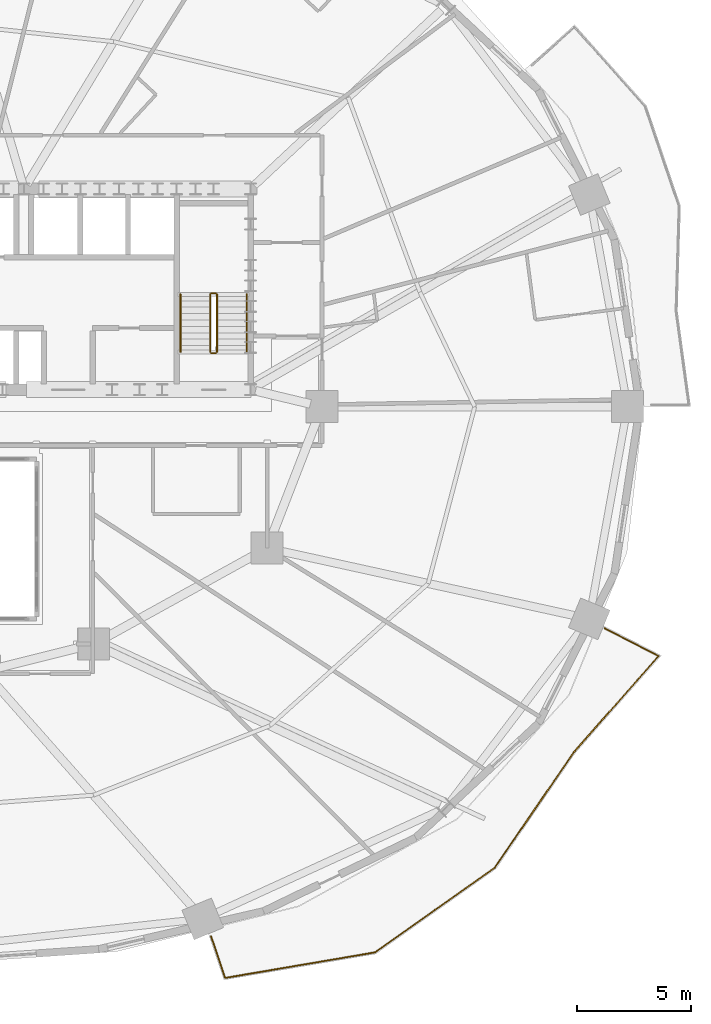
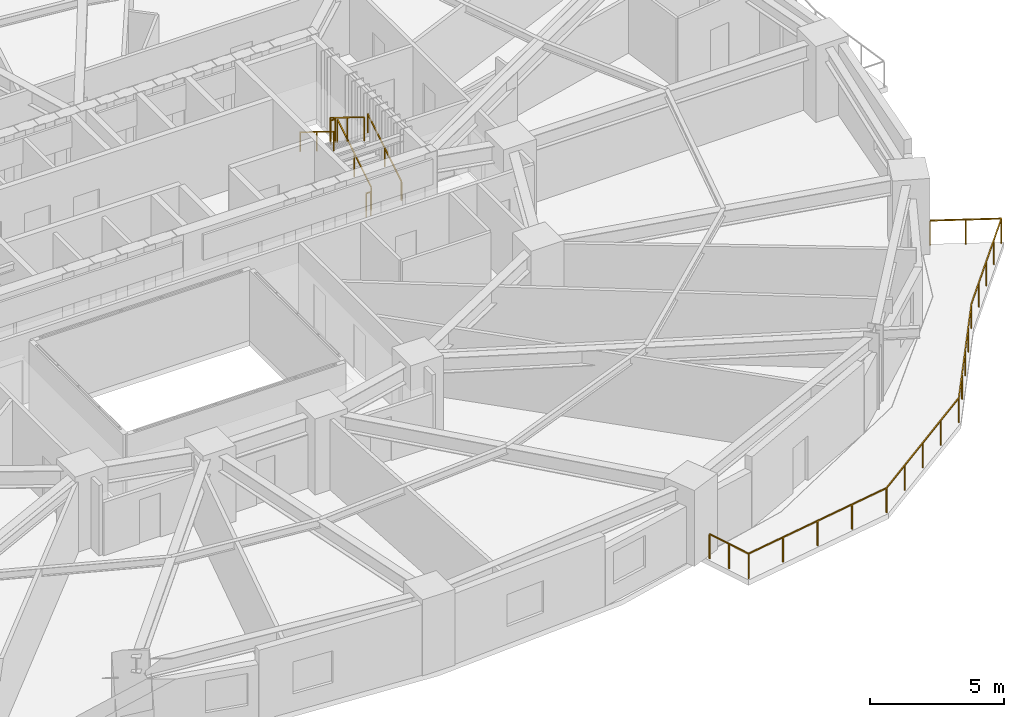
# One storey, part 16 of 17: 7 railings.
"""IFC4 building model written with IfcOpenShell, lengths in metres."""

from ifc_helpers import new_model, si_unit, direction, frame, origin, origin_2d, place, context, subcontext, project, spatial, rectangle, extrude, material, type_object, element, save


model = new_model("IFC4")

# Units and contexts
model_context = context("Model", 3, precision=1e-05, world=origin(), true_north=direction((0.0, 1.0)))
body_context = subcontext(model_context, "Body", "Model", "MODEL_VIEW")
ifc_project = project(units=[si_unit("LENGTHUNIT", "METRE"), si_unit("AREAUNIT", "SQUARE_METRE"), si_unit("VOLUMEUNIT", "CUBIC_METRE"), si_unit("PLANEANGLEUNIT", "RADIAN"), si_unit("MASSUNIT", "GRAM", prefix="KILO")], contexts=[model_context])

# Site, building, storey
site_placement = place(None, origin())
site = spatial("IfcSite", under=ifc_project, at=site_placement, CompositionType="ELEMENT")
building_placement = place(site_placement, origin())
building = spatial("IfcBuilding", under=site, at=building_placement, Name="Haldorwick Loom Tower", CompositionType="ELEMENT")
storey_placement = place(building_placement, frame((0.0, 0.0, 34.35009765625)))
storey = spatial("IfcBuildingStorey", under=building, at=storey_placement, Name="L08", CompositionType="ELEMENT", Elevation=34.35009765625)

# Railings
ifc_material_1 = material(Name="Galvanized Steel CSA G40.21 350W", Category="steel")
railing_type_1 = type_object("IfcRailingType", Name="ARC-RLG-BAL115", PredefinedType="BALUSTRADE", material=ifc_material_1)
railing_1_placement = place(storey_placement, frame((65.593017578125, 16.2890625, 0.0)))
element("IfcRailing", 1, at=railing_1_placement, inside=storey, type_object=railing_type_1, Name="L08 Outdoor Terrace Guardrail SLB-L08-BAL_SE-1", PredefinedType="BALUSTRADE", context=body_context, shape_type="SweptSolid", body=[
    extrude(rectangle(XDim=0.048095703125, YDim=0.048095703125, at=origin_2d()), frame((0.0, 0.0, 1.1259765625), z_axis=(0.889147904844, -0.457619933254, 0.0), x_axis=(0.457619933254, 0.889147904844, 0.0)), (0.0, 0.0, 1.0), 2.657470703125),
    extrude(rectangle(XDim=0.048095703125, YDim=0.048095703125, at=origin_2d()), frame((2.36279296875, -1.216064453125, 1.1259765625), z_axis=(-0.661217967964, -0.750193840845, 0.0), x_axis=(0.750193840845, -0.661217967964, 0.0)), (0.0, 0.0, 1.0), 5.622314453125),
    extrude(rectangle(XDim=0.048095703125, YDim=0.048095703125, at=origin_2d()), frame((-1.354736328125, -5.433837890625, 1.1259765625), z_axis=(-0.615644041972, -0.788024373725, 0.0), x_axis=(0.788024373725, -0.615644041972, 0.0)), (0.0, 0.0, 1.0), 0.010009765625),
    extrude(rectangle(XDim=0.048095703125, YDim=0.048095703125, at=origin_2d()), frame((-1.36083984375, -5.441650390625, 1.1259765625), z_axis=(-0.564811281477, -0.82522010174, 0.0), x_axis=(0.82522010174, -0.564811281477, 0.0)), (0.0, 0.0, 1.0), 6.115478515625),
    extrude(rectangle(XDim=0.048095703125, YDim=0.048095703125, at=origin_2d()), frame((-4.81494140625, -10.48828125, 1.1259765625), z_axis=(-0.816259372483, -0.577685586486, 0.0), x_axis=(0.577685586486, -0.816259372483, 0.0)), (0.0, 0.0, 1.0), 6.4326171875),
    extrude(rectangle(XDim=0.048095703125, YDim=0.048095703125, at=origin_2d()), frame((-10.065673828125, -14.204345703125, 1.1259765625), z_axis=(-0.985747982985, -0.168228755094, 0.0), x_axis=(0.168228755094, -0.985747982985, 0.0)), (0.0, 0.0, 1.0), 6.66552734375),
    extrude(rectangle(XDim=0.048095703125, YDim=0.048095703125, at=origin_2d()), frame((-16.63623046875, -15.32568359375, 1.1259765625), z_axis=(-0.320435584101, 0.947270308012, 0.0), x_axis=(-0.947270308012, -0.320435584101, 0.0)), (0.0, 0.0, 1.0), 1.9306640625),
    extrude(rectangle(XDim=0.0419921875, YDim=0.0419921875, at=origin_2d()), origin(), (0.0, 0.0, 1.0), 1.101806640625),
    extrude(rectangle(XDim=0.0419921875, YDim=0.0419921875, at=origin_2d()), frame((1.181396484375, -0.60791015625, 0.0)), (0.0, 0.0, 1.0), 1.101806640625),
    extrude(rectangle(XDim=0.0419921875, YDim=0.0419921875, at=origin_2d()), frame((2.36279296875, -1.216064453125, 0.0)), (0.0, 0.0, 1.0), 1.101806640625),
    extrude(rectangle(XDim=0.0419921875, YDim=0.0419921875, at=origin_2d()), frame((1.433349609375, -2.2705078125, 0.0)), (0.0, 0.0, 1.0), 1.101806640625),
    extrude(rectangle(XDim=0.0419921875, YDim=0.0419921875, at=origin_2d()), frame((0.50390625, -3.324951171875, 0.0)), (0.0, 0.0, 1.0), 1.101806640625),
    extrude(rectangle(XDim=0.0419921875, YDim=0.0419921875, at=origin_2d()), frame((-0.42529296875, -4.37939453125, 0.0)), (0.0, 0.0, 1.0), 1.101806640625),
    extrude(rectangle(XDim=0.0419921875, YDim=0.0419921875, at=origin_2d()), frame((-1.354736328125, -5.433837890625, 0.0)), (0.0, 0.0, 1.0), 1.101806640625),
    extrude(rectangle(XDim=0.0419921875, YDim=0.0419921875, at=origin_2d()), frame((-2.224365234375, -6.703369140625, 0.0)), (0.0, 0.0, 1.0), 1.101806640625),
    extrude(rectangle(XDim=0.0419921875, YDim=0.0419921875, at=origin_2d()), frame((-3.087890625, -7.96484375, 0.0)), (0.0, 0.0, 1.0), 1.101806640625),
    extrude(rectangle(XDim=0.0419921875, YDim=0.0419921875, at=origin_2d()), frame((-3.951416015625, -9.2265625, 0.0)), (0.0, 0.0, 1.0), 1.101806640625),
    extrude(rectangle(XDim=0.0419921875, YDim=0.0419921875, at=origin_2d()), frame((-4.81494140625, -10.48828125, 0.0)), (0.0, 0.0, 1.0), 1.101806640625),
    extrude(rectangle(XDim=0.0419921875, YDim=0.0419921875, at=origin_2d()), frame((-6.127685546875, -11.417236328125, 0.0)), (0.0, 0.0, 1.0), 1.101806640625),
    extrude(rectangle(XDim=0.0419921875, YDim=0.0419921875, at=origin_2d()), frame((-7.4404296875, -12.34619140625, 0.0)), (0.0, 0.0, 1.0), 1.101806640625),
    extrude(rectangle(XDim=0.0419921875, YDim=0.0419921875, at=origin_2d()), frame((-8.7529296875, -13.275390625, 0.0)), (0.0, 0.0, 1.0), 1.101806640625),
    extrude(rectangle(XDim=0.0419921875, YDim=0.0419921875, at=origin_2d()), frame((-10.065673828125, -14.204345703125, 0.0)), (0.0, 0.0, 1.0), 1.101806640625),
    extrude(rectangle(XDim=0.0419921875, YDim=0.0419921875, at=origin_2d()), frame((-11.708251953125, -14.484619140625, 0.0)), (0.0, 0.0, 1.0), 1.101806640625),
    extrude(rectangle(XDim=0.0419921875, YDim=0.0419921875, at=origin_2d()), frame((-13.35107421875, -14.76513671875, 0.0)), (0.0, 0.0, 1.0), 1.101806640625),
    extrude(rectangle(XDim=0.0419921875, YDim=0.0419921875, at=origin_2d()), frame((-14.99365234375, -15.04541015625, 0.0)), (0.0, 0.0, 1.0), 1.101806640625),
    extrude(rectangle(XDim=0.0419921875, YDim=0.0419921875, at=origin_2d()), frame((-16.63623046875, -15.32568359375, 0.0)), (0.0, 0.0, 1.0), 1.101806640625),
    extrude(rectangle(XDim=0.0419921875, YDim=0.0419921875, at=origin_2d()), frame((-16.945556640625, -14.4111328125, 0.0)), (0.0, 0.0, 1.0), 1.101806640625),
    extrude(rectangle(XDim=0.0419921875, YDim=0.0419921875, at=origin_2d()), frame((-17.2548828125, -13.496826171875, 0.0)), (0.0, 0.0, 1.0), 1.101806640625),
])
ifc_material_2 = material(Name="Steel CSA G40.21 350W", Category="steel")
railing_type_2 = type_object("IfcRailingType", Name="ARC-RLG-GUARD112", PredefinedType="GUARDRAIL", material=ifc_material_2)
railing_2_placement = place(storey_placement, frame((48.60009765625, 28.39990234375, 0.17236328125)))
element("IfcRailing", 2, at=railing_2_placement, inside=storey, type_object=railing_type_2, Name="L08 ST-02 stair guard 1", PredefinedType="GUARDRAIL", context=body_context, shape_type="SweptSolid", body=[
    extrude(rectangle(XDim=0.048095703125, YDim=0.048095703125, at=origin_2d()), frame((0.0, 0.0, 1.076171875), z_axis=(0.0, 0.851400495292, 0.524516154772), x_axis=(-1.0, 0.0, 0.0)), (0.0, 0.0, 1.0), 2.9599609375),
    extrude(rectangle(XDim=0.0419921875, YDim=0.0419921875, at=origin_2d()), origin(), (0.0, 0.0, 1.0), 1.052001953125),
    extrude(rectangle(XDim=0.0419921875, YDim=0.0419921875, at=origin_2d()), frame((0.0, 1.260009765625, 0.7763671875)), (0.0, 0.0, 1.0), 1.052001953125),
    extrude(rectangle(XDim=0.0419921875, YDim=0.0419921875, at=origin_2d()), frame((0.0, 2.52001953125, 1.552490234375)), (0.0, 0.0, 1.0), 1.052001953125),
])
railing_3_placement = place(storey_placement, frame((48.550048828125, 30.969970703125, 1.724853515625)))
element("IfcRailing", 3, at=railing_3_placement, inside=storey, type_object=railing_type_2, Name="L08 ST-02 stair guard 2", PredefinedType="GUARDRAIL", context=body_context, shape_type="SweptSolid", body=[
    extrude(rectangle(XDim=0.048095703125, YDim=0.048095703125, at=origin_2d()), frame((0.0, 0.0, 1.076171875), z_axis=(-1.0, 0.0, 0.0), x_axis=(0.0, -1.0, 0.0)), (0.0, 0.0, 1.0), 0.199951171875),
    extrude(rectangle(XDim=0.0419921875, YDim=0.0419921875, at=origin_2d()), origin(), (0.0, 0.0, 1.0), 1.052001953125),
    extrude(rectangle(XDim=0.0419921875, YDim=0.0419921875, at=origin_2d()), frame((-0.199951171875, 0.0, 0.0)), (0.0, 0.0, 1.0), 1.052001953125),
])
railing_4_placement = place(storey_placement, frame((48.300048828125, 30.919921875, 1.8974609375)))
element("IfcRailing", 4, at=railing_4_placement, inside=storey, type_object=railing_type_2, Name="L08 ST-02 stair guard 3", PredefinedType="GUARDRAIL", context=body_context, shape_type="SweptSolid", body=[
    extrude(rectangle(XDim=0.048095703125, YDim=0.048095703125, at=origin_2d()), frame((0.0, 0.0, 1.076171875), z_axis=(0.0, -0.851400495292, 0.524516154772), x_axis=(1.0, 0.0, 0.0)), (0.0, 0.0, 1.0), 2.9599609375),
    extrude(rectangle(XDim=0.0419921875, YDim=0.0419921875, at=origin_2d()), origin(), (0.0, 0.0, 1.0), 1.052001953125),
    extrude(rectangle(XDim=0.0419921875, YDim=0.0419921875, at=origin_2d()), frame((0.0, -1.260009765625, 0.7763671875)), (0.0, 0.0, 1.0), 1.052001953125),
    extrude(rectangle(XDim=0.0419921875, YDim=0.0419921875, at=origin_2d()), frame((0.0, -2.52001953125, 1.552490234375)), (0.0, 0.0, 1.0), 1.052001953125),
])
railing_5_placement = place(storey_placement, frame((48.550048828125, 28.35009765625, 0.0)))
element("IfcRailing", 5, at=railing_5_placement, inside=storey, type_object=railing_type_2, Name="L08 ST-02 stair guard 4", PredefinedType="GUARDRAIL", context=body_context, shape_type="SweptSolid", body=[
    extrude(rectangle(XDim=0.048095703125, YDim=0.048095703125, at=origin_2d()), frame((0.0, 0.0, 1.076171875), z_axis=(-1.0, 0.0, 0.0), x_axis=(0.0, -1.0, 0.0)), (0.0, 0.0, 1.0), 0.199951171875),
    extrude(rectangle(XDim=0.0419921875, YDim=0.0419921875, at=origin_2d()), origin(), (0.0, 0.0, 1.0), 1.052001953125),
    extrude(rectangle(XDim=0.0419921875, YDim=0.0419921875, at=origin_2d()), frame((-0.199951171875, 0.0, 0.0)), (0.0, 0.0, 1.0), 1.052001953125),
])
railing_type_3 = type_object("IfcRailingType", Name="ARC-RLG-HAND092", PredefinedType="HANDRAIL", material=ifc_material_2)
railing_6_placement = place(storey_placement, frame((49.89990234375, 28.39990234375, 0.17236328125)))
element("IfcRailing", 6, at=railing_6_placement, inside=storey, type_object=railing_type_3, Name="L08 ST-02 stair handrail 1", PredefinedType="HANDRAIL", context=body_context, shape_type="SweptSolid", body=[
    extrude(rectangle(XDim=0.048095703125, YDim=0.048095703125, at=origin_2d()), frame((0.0, 0.0, 0.8759765625), z_axis=(0.0, 0.851400495292, 0.524516154772), x_axis=(-1.0, 0.0, 0.0)), (0.0, 0.0, 1.0), 2.9599609375),
    extrude(rectangle(XDim=0.0419921875, YDim=0.0419921875, at=origin_2d()), origin(), (0.0, 0.0, 1.0), 0.851806640625),
    extrude(rectangle(XDim=0.0419921875, YDim=0.0419921875, at=origin_2d()), frame((0.0, 1.260009765625, 0.7763671875)), (0.0, 0.0, 1.0), 0.851806640625),
    extrude(rectangle(XDim=0.0419921875, YDim=0.0419921875, at=origin_2d()), frame((0.0, 2.52001953125, 1.552490234375)), (0.0, 0.0, 1.0), 0.851806640625),
])
railing_7_placement = place(storey_placement, frame((47.0, 30.919921875, 1.8974609375)))
element("IfcRailing", 7, at=railing_7_placement, inside=storey, type_object=railing_type_3, Name="L08 ST-02 stair handrail 2", PredefinedType="HANDRAIL", context=body_context, shape_type="SweptSolid", body=[
    extrude(rectangle(XDim=0.048095703125, YDim=0.048095703125, at=origin_2d()), frame((0.0, 0.0, 0.8759765625), z_axis=(0.0, -0.851400495292, 0.524516154772), x_axis=(1.0, 0.0, 0.0)), (0.0, 0.0, 1.0), 2.9599609375),
    extrude(rectangle(XDim=0.0419921875, YDim=0.0419921875, at=origin_2d()), origin(), (0.0, 0.0, 1.0), 0.851806640625),
    extrude(rectangle(XDim=0.0419921875, YDim=0.0419921875, at=origin_2d()), frame((0.0, -1.260009765625, 0.7763671875)), (0.0, 0.0, 1.0), 0.851806640625),
    extrude(rectangle(XDim=0.0419921875, YDim=0.0419921875, at=origin_2d()), frame((0.0, -2.52001953125, 1.552490234375)), (0.0, 0.0, 1.0), 0.851806640625),
])

save(model, "model.ifc")
